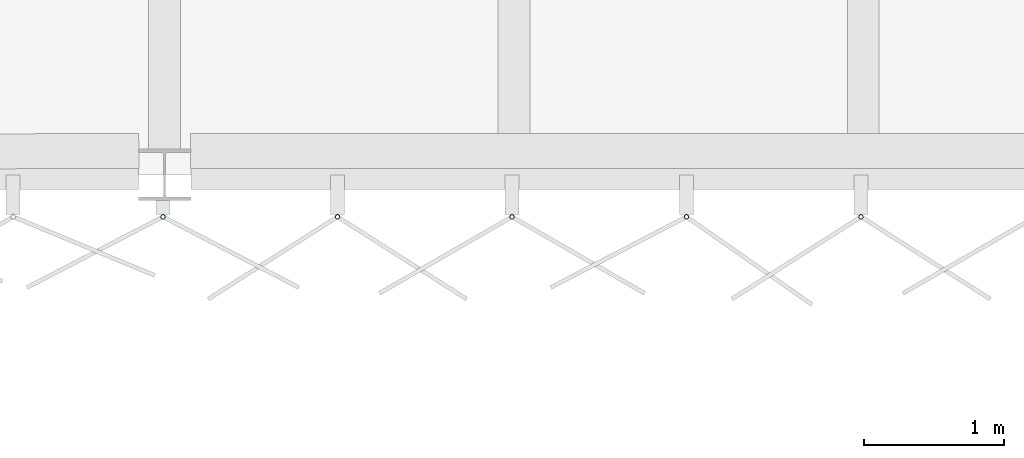
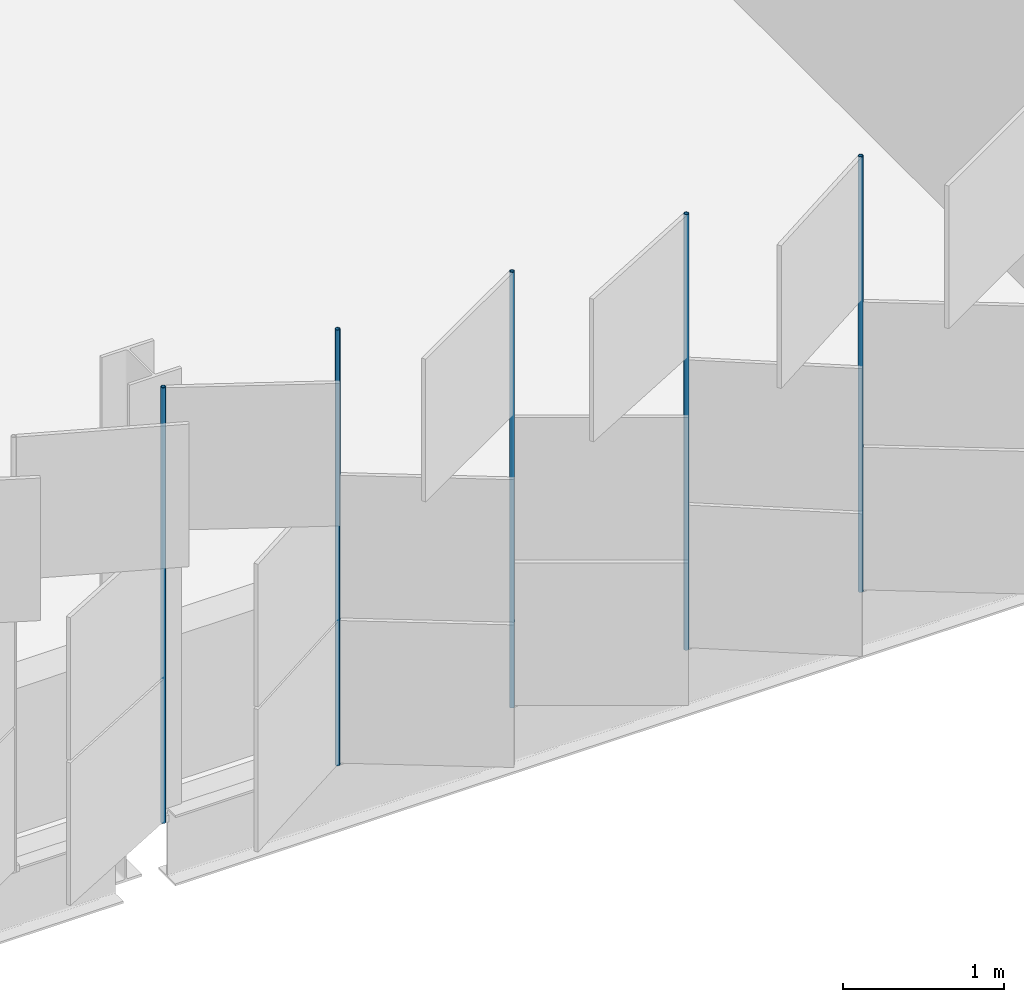
# One storey, part 72 of 198: 5 discrete accessories.
"""IFC4 building model written with IfcOpenShell, lengths in metres."""

from ifc_helpers import new_model, si_unit, direction, frame, origin, origin_2d, place, context, subcontext, project, spatial, hollow_circle, extrude, material, material_profile, profile_set, type_object, element, save


model = new_model("IFC4")

# Units and contexts
model_context = context("Model", 3, precision=1e-05, world=origin(), true_north=direction((0.0, 1.0)))
body_context = subcontext(model_context, "Body", "Model", "MODEL_VIEW")
ifc_project = project(units=[si_unit("LENGTHUNIT", "METRE"), si_unit("AREAUNIT", "SQUARE_METRE"), si_unit("VOLUMEUNIT", "CUBIC_METRE"), si_unit("PLANEANGLEUNIT", "RADIAN"), si_unit("MASSUNIT", "GRAM", prefix="KILO")], contexts=[model_context])

# Site, building, storey
site_placement = place(None, origin())
site = spatial("IfcSite", under=ifc_project, at=site_placement, CompositionType="ELEMENT")
building_placement = place(site_placement, origin())
building = spatial("IfcBuilding", under=site, at=building_placement, Name="Parallax Yard Mobility Hub", CompositionType="ELEMENT")
storey_placement = place(building_placement, frame((0.0, 0.0, 6.60009765625)))
storey = spatial("IfcBuildingStorey", under=building, at=storey_placement, Name="L02", CompositionType="ELEMENT", Elevation=6.60009765625)

# Discrete accessories
ifc_material = material(Name="Steel ASTM A500 Gr C, hot-dip galvanised", Category="steel")
ifc_material_profile = material_profile(ifc_material, hollow_circle(Radius=0.016845703125, WallThickness=0.003173828125, at=origin_2d()), Name="CHS 33.7x3.2")
ifc_profile_set = profile_set([ifc_material_profile], Name="Steel ASTM A500 Gr C, hot-dip galvanised")
discrete_accessory_type = type_object("IfcDiscreteAccessoryType", Name="Hinge post CHS 33.7x3.2", PredefinedType="BRACKET", material=ifc_profile_set)
for number, where, z_axis, x_axis, name in (
    (1, (59.9873046875, 112.199951171875, 0.0), (0.0, 0.0, 1.0), (1.0, 0.0, 0.0), "Hinge post bay 5.1 level L02"),
    (2, (61.236572265625, 112.199951171875, 0.0), (0.0, 0.0, 1.0), (1.0, 0.0, 0.0), "Hinge post bay 5.2 level L02"),
    (3, (62.48583984375, 112.199951171875, 0.0), (0.0, 0.0, 1.0), (1.0, 0.0, 0.0), "Hinge post bay 5.3 level L02"),
    (4, (63.735107421875, 112.199951171875, 0.0), (0.0, 0.0, 1.0), (1.0, 0.0, 0.0), "Hinge post bay 5.4 level L02"),
    (5, (64.984375, 112.199951171875, 0.0), (0.0, 0.0, 1.0), (1.0, 0.0, 0.0), "Hinge post bay 5.5 level L02"),
):
    element("IfcDiscreteAccessory", number, at=place(storey_placement, frame(where, z_axis=z_axis, x_axis=x_axis)), inside=storey, type_object=discrete_accessory_type, Name=name, PredefinedType="BRACKET", context=body_context, shape_type="SweptSolid", body=[
        extrude(hollow_circle(Radius=0.016845703125, WallThickness=0.003173828125, at=origin_2d()), origin(), (0.0, 0.0, 1.0), 3.2998046875),
    ])

save(model, "model.ifc")
